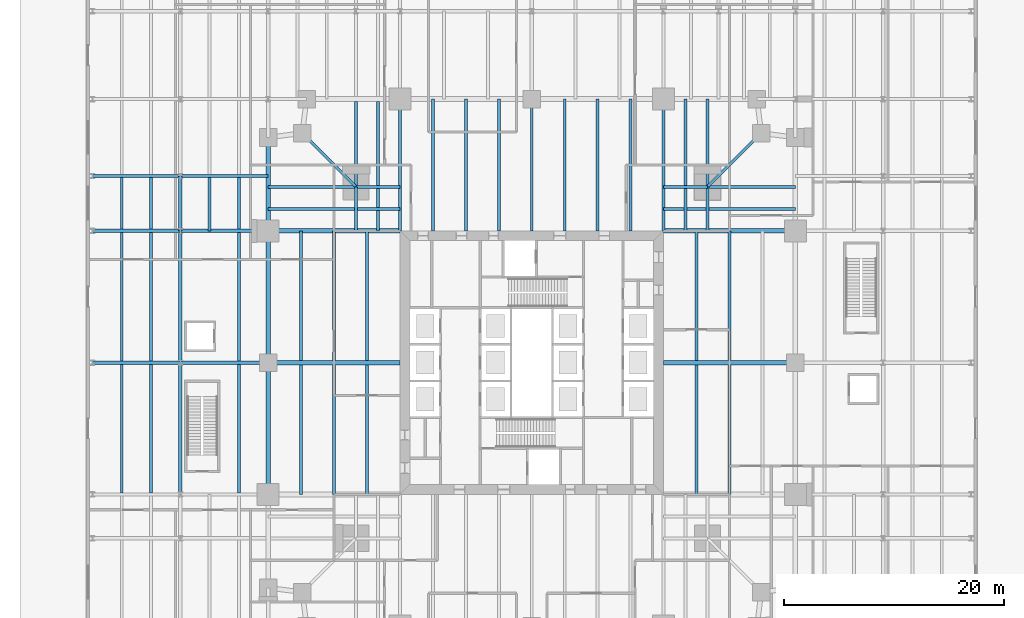
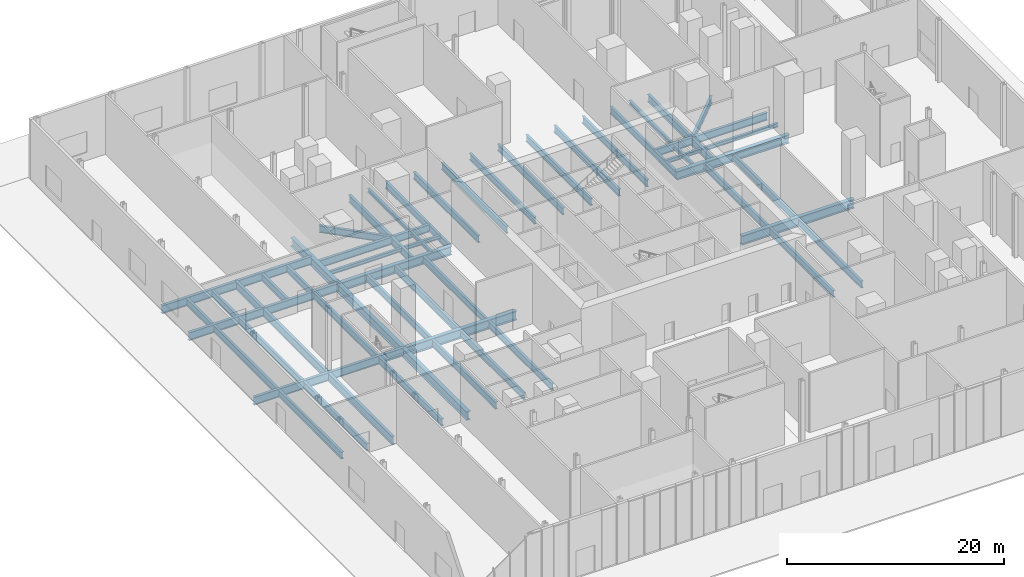
# One storey, part 7 of 20: 65 beams.
"""IFC4 building model written with IfcOpenShell, lengths in metres."""

from ifc_helpers import new_model, si_unit, direction, frame, origin, origin_2d, place, context, subcontext, project, spatial, i_section, extrude, material, material_profile, profile_set, type_object, element, save


model = new_model("IFC4")

# Units and contexts
model_context = context("Model", 3, precision=1e-05, world=origin(), true_north=direction((0.0, 1.0)))
body_context = subcontext(model_context, "Body", "Model", "MODEL_VIEW")
ifc_project = project(units=[si_unit("LENGTHUNIT", "METRE"), si_unit("AREAUNIT", "SQUARE_METRE"), si_unit("VOLUMEUNIT", "CUBIC_METRE"), si_unit("PLANEANGLEUNIT", "RADIAN"), si_unit("MASSUNIT", "GRAM", prefix="KILO")], contexts=[model_context])

# Site, building, storey
site_placement = place(None, origin())
site = spatial("IfcSite", under=ifc_project, at=site_placement, CompositionType="ELEMENT")
building_placement = place(site_placement, origin())
building = spatial("IfcBuilding", under=site, at=building_placement, Name="Fenwick Lantern Interchange", CompositionType="ELEMENT")
storey_placement = place(building_placement, origin())
storey = spatial("IfcBuildingStorey", under=building, at=storey_placement, Name="L00", CompositionType="ELEMENT", Elevation=0.0)

# Beams
ifc_material = material(Name="Steel ASTM A992 Grade 50", Category="steel")
ifc_material_profile_1 = material_profile(ifc_material, i_section(OverallWidth=0.4267578125, OverallDepth=0.975341796875, WebThickness=0.031005859375, FlangeThickness=0.055908203125, at=origin_2d()), Name="W36X395")
ifc_profile_set_1 = profile_set([ifc_material_profile_1], Name="Steel ASTM A992 Grade 50")
beam_type_1 = type_object("IfcBeamType", Name="EDGE BEAM W36X395", PredefinedType="SPANDREL", material=ifc_profile_set_1)
beam_1_placement = place(storey_placement, frame((1.0, 45.5, -0.78759765625), z_axis=(0.0, -1.0, 0.0), x_axis=(1.0, 0.0, 0.0)))
element("IfcBeam", 1, at=beam_1_placement, inside=storey, type_object=beam_type_1, Name="L00/FR/W/EB1", PredefinedType="SPANDREL", context=body_context, shape_type="SweptSolid", body=[
    extrude(i_section(OverallWidth=0.4267578125, OverallDepth=0.975341796875, WebThickness=0.031005859375, FlangeThickness=0.055908203125, at=origin_2d()), origin(), (0.0, 0.0, 1.0), 8.5),
])
for number, where, z_axis, x_axis, name in (
    (2, (1.0, 37.0, -0.78759765625), (0.0, -1.0, 0.0), (1.0, 0.0, 0.0), "L00/FR/W/EB2"),
    (3, (1.0, 25.0, -0.78759765625), (0.0, -1.0, 0.0), (1.0, 0.0, 0.0), "L00/FR/W/EB3"),
):
    element("IfcBeam", number, at=place(storey_placement, frame(where, z_axis=z_axis, x_axis=x_axis)), inside=storey, type_object=beam_type_1, Name=name, PredefinedType="SPANDREL", context=body_context, shape_type="SweptSolid", body=[
        extrude(i_section(OverallWidth=0.4267578125, OverallDepth=0.975341796875, WebThickness=0.031005859375, FlangeThickness=0.055908203125, at=origin_2d()), origin(), (0.0, 0.0, 1.0), 12.0),
    ])
ifc_material_profile_2 = material_profile(ifc_material, i_section(OverallWidth=0.2666015625, OverallDepth=0.77978515625, WebThickness=0.0166015625, FlangeThickness=0.030029296875, at=origin_2d()), Name="W30X148")
ifc_profile_set_2 = profile_set([ifc_material_profile_2], Name="Steel ASTM A992 Grade 50")
beam_type_2 = type_object("IfcBeamType", Name="FLOOR BEAM W30X148", PredefinedType="BEAM", material=ifc_profile_set_2)
for number, where, z_axis, x_axis, name in (
    (4, (43.0, 13.0, -0.68994140625), (0.0, 1.0, 0.0), (-1.0, 0.0, 0.0), "L00/FR/E/B02"),
    (5, (40.0, 13.0, -0.68994140625), (0.0, 1.0, 0.0), (-1.0, 0.0, 0.0), "L00/FR/E/B03"),
    (6, (43.0, 25.20458984375, -0.68994140625), (0.0, 1.0, 0.0), (-1.0, 0.0, 0.0), "L00/FR/E/B05"),
    (7, (40.0, 25.20458984375, -0.68994140625), (0.0, 1.0, 0.0), (-1.0, 0.0, 0.0), "L00/FR/E/B06"),
):
    element("IfcBeam", number, at=place(storey_placement, frame(where, z_axis=z_axis, x_axis=x_axis)), inside=storey, type_object=beam_type_2, Name=name, PredefinedType="BEAM", context=body_context, shape_type="SweptSolid", body=[
        extrude(i_section(OverallWidth=0.2666015625, OverallDepth=0.77978515625, WebThickness=0.0166015625, FlangeThickness=0.030029296875, at=origin_2d()), origin(), (0.0, 0.0, 1.0), 11.79541015625),
    ])
for number, where, z_axis, x_axis, name in (
    (8, (34.0, 49.0, -0.68994140625), (0.0, -1.0, 0.0), (1.0, 0.0, 0.0), "L00/FR/N/R02"),
    (9, (31.0, 49.0, -0.68994140625), (0.0, -1.0, 0.0), (1.0, 0.0, 0.0), "L00/FR/N/R03"),
    (10, (28.0, 49.0, -0.68994140625), (0.0, -1.0, 0.0), (1.0, 0.0, 0.0), "L00/FR/N/R04"),
    (11, (22.0, 49.0, -0.68994140625), (0.0, -1.0, 0.0), (1.0, 0.0, 0.0), "L00/FR/N/R06"),
    (12, (19.0, 49.0, -0.68994140625), (0.0, -1.0, 0.0), (1.0, 0.0, 0.0), "L00/FR/N/R07"),
    (13, (16.0, 49.0, -0.68994140625), (0.0, -1.0, 0.0), (1.0, 0.0, 0.0), "L00/FR/N/R08"),
):
    element("IfcBeam", number, at=place(storey_placement, frame(where, z_axis=z_axis, x_axis=x_axis)), inside=storey, type_object=beam_type_2, Name=name, PredefinedType="BEAM", context=body_context, shape_type="SweptSolid", body=[
        extrude(i_section(OverallWidth=0.2666015625, OverallDepth=0.77978515625, WebThickness=0.0166015625, FlangeThickness=0.030029296875, at=origin_2d()), origin(), (0.0, 0.0, 1.0), 12.0),
    ])
for number, where, z_axis, x_axis, name in (
    (14, (4.0, 37.0, -0.68994140625), (0.0, -1.0, 0.0), (1.0, 0.0, 0.0), "L00/FR/W/B01"),
    (15, (7.0, 37.0, -0.68994140625), (0.0, -1.0, 0.0), (1.0, 0.0, 0.0), "L00/FR/W/B02"),
    (16, (10.0, 37.0, -0.68994140625), (0.0, -1.0, 0.0), (1.0, 0.0, 0.0), "L00/FR/W/B03"),
    (17, (4.0, 24.79541015625, -0.68994140625), (0.0, -1.0, 0.0), (1.0, 0.0, 0.0), "L00/FR/W/B04"),
    (18, (7.0, 24.79541015625, -0.68994140625), (0.0, -1.0, 0.0), (1.0, 0.0, 0.0), "L00/FR/W/B05"),
    (19, (10.0, 24.79541015625, -0.68994140625), (0.0, -1.0, 0.0), (1.0, 0.0, 0.0), "L00/FR/W/B06"),
):
    element("IfcBeam", number, at=place(storey_placement, frame(where, z_axis=z_axis, x_axis=x_axis)), inside=storey, type_object=beam_type_2, Name=name, PredefinedType="BEAM", context=body_context, shape_type="SweptSolid", body=[
        extrude(i_section(OverallWidth=0.2666015625, OverallDepth=0.77978515625, WebThickness=0.0166015625, FlangeThickness=0.030029296875, at=origin_2d()), origin(), (0.0, 0.0, 1.0), 11.79541015625),
    ])
ifc_material_profile_3 = material_profile(ifc_material, i_section(OverallWidth=0.259033203125, OverallDepth=0.4140625, WebThickness=0.010009765625, FlangeThickness=0.016845703125, at=origin_2d()), Name="W16X67")
ifc_profile_set_3 = profile_set([ifc_material_profile_3], Name="Steel ASTM A992 Grade 50")
beam_type_3 = type_object("IfcBeamType", Name="INFILL BEAM W16X67", PredefinedType="JOIST", material=ifc_profile_set_3)
beam_2_placement = place(storey_placement, frame((39.0, 49.0, -0.507080078125), z_axis=(0.0, -1.0, 0.0), x_axis=(1.0, 0.0, 0.0)))
element("IfcBeam", 20, at=beam_2_placement, inside=storey, type_object=beam_type_3, Name="L00/FR/N/J1", PredefinedType="JOIST", context=body_context, shape_type="SweptSolid", body=[
    extrude(i_section(OverallWidth=0.259033203125, OverallDepth=0.4140625, WebThickness=0.010009765625, FlangeThickness=0.016845703125, at=origin_2d()), origin(), (0.0, 0.0, 1.0), 7.85400390625),
])
beam_3_placement = place(storey_placement, frame((39.0, 40.85400390625, -0.507080078125), z_axis=(0.0, -1.0, 0.0), x_axis=(1.0, 0.0, 0.0)))
element("IfcBeam", 21, at=beam_3_placement, inside=storey, type_object=beam_type_3, Name="L00/FR/N/J2", PredefinedType="JOIST", context=body_context, shape_type="SweptSolid", body=[
    extrude(i_section(OverallWidth=0.259033203125, OverallDepth=0.4140625, WebThickness=0.010009765625, FlangeThickness=0.016845703125, at=origin_2d()), origin(), (0.0, 0.0, 1.0), 3.85400390625),
])
beam_4_placement = place(storey_placement, frame((49.0, 39.0, -0.507080078125), z_axis=(-1.0, 0.0, 0.0), x_axis=(0.0, -1.0, 0.0)))
element("IfcBeam", 22, at=beam_4_placement, inside=storey, type_object=beam_type_3, Name="L00/FR/N/J3", PredefinedType="JOIST", context=body_context, shape_type="SweptSolid", body=[
    extrude(i_section(OverallWidth=0.259033203125, OverallDepth=0.4140625, WebThickness=0.010009765625, FlangeThickness=0.016845703125, at=origin_2d()), origin(), (0.0, 0.0, 1.0), 7.85400390625),
])
beam_5_placement = place(storey_placement, frame((40.85400390625, 39.0, -0.507080078125), z_axis=(-1.0, 0.0, 0.0), x_axis=(0.0, -1.0, 0.0)))
element("IfcBeam", 23, at=beam_5_placement, inside=storey, type_object=beam_type_3, Name="L00/FR/N/J4", PredefinedType="JOIST", context=body_context, shape_type="SweptSolid", body=[
    extrude(i_section(OverallWidth=0.259033203125, OverallDepth=0.4140625, WebThickness=0.010009765625, FlangeThickness=0.016845703125, at=origin_2d()), origin(), (0.0, 0.0, 1.0), 1.724365234375),
])
beam_6_placement = place(storey_placement, frame((38.870361328125, 39.0, -0.507080078125), z_axis=(-1.0, 0.0, 0.0), x_axis=(0.0, -1.0, 0.0)))
element("IfcBeam", 24, at=beam_6_placement, inside=storey, type_object=beam_type_3, Name="L00/FR/N/J5", PredefinedType="JOIST", context=body_context, shape_type="SweptSolid", body=[
    extrude(i_section(OverallWidth=0.259033203125, OverallDepth=0.4140625, WebThickness=0.010009765625, FlangeThickness=0.016845703125, at=origin_2d()), origin(), (0.0, 0.0, 1.0), 1.870361328125),
])
beam_7_placement = place(storey_placement, frame((1.0, 39.0, -0.507080078125), z_axis=(1.0, 0.0, 0.0), x_axis=(0.0, 1.0, 0.0)))
element("IfcBeam", 25, at=beam_7_placement, inside=storey, type_object=beam_type_3, Name="L00/FR/W/J1", PredefinedType="JOIST", context=body_context, shape_type="SweptSolid", body=[
    extrude(i_section(OverallWidth=0.259033203125, OverallDepth=0.4140625, WebThickness=0.010009765625, FlangeThickness=0.016845703125, at=origin_2d()), origin(), (0.0, 0.0, 1.0), 7.85400390625),
])
beam_8_placement = place(storey_placement, frame((9.14599609375, 39.0, -0.507080078125), z_axis=(1.0, 0.0, 0.0), x_axis=(0.0, 1.0, 0.0)))
element("IfcBeam", 26, at=beam_8_placement, inside=storey, type_object=beam_type_3, Name="L00/FR/W/J2", PredefinedType="JOIST", context=body_context, shape_type="SweptSolid", body=[
    extrude(i_section(OverallWidth=0.259033203125, OverallDepth=0.4140625, WebThickness=0.010009765625, FlangeThickness=0.016845703125, at=origin_2d()), origin(), (0.0, 0.0, 1.0), 3.85400390625),
])
beam_9_placement = place(storey_placement, frame((11.0, 48.78662109375, -0.507080078125), z_axis=(0.0, -1.0, 0.0), x_axis=(1.0, 0.0, 0.0)))
element("IfcBeam", 27, at=beam_9_placement, inside=storey, type_object=beam_type_3, Name="L00/FR/W/J3", PredefinedType="JOIST", context=body_context, shape_type="SweptSolid", body=[
    extrude(i_section(OverallWidth=0.259033203125, OverallDepth=0.4140625, WebThickness=0.010009765625, FlangeThickness=0.016845703125, at=origin_2d()), origin(), (0.0, 0.0, 1.0), 7.640625),
])
beam_10_placement = place(storey_placement, frame((11.0, 40.85400390625, -0.507080078125), z_axis=(0.0, -1.0, 0.0), x_axis=(1.0, 0.0, 0.0)))
element("IfcBeam", 28, at=beam_10_placement, inside=storey, type_object=beam_type_3, Name="L00/FR/W/J4", PredefinedType="JOIST", context=body_context, shape_type="SweptSolid", body=[
    extrude(i_section(OverallWidth=0.259033203125, OverallDepth=0.4140625, WebThickness=0.010009765625, FlangeThickness=0.016845703125, at=origin_2d()), origin(), (0.0, 0.0, 1.0), 1.724365234375),
])
beam_11_placement = place(storey_placement, frame((11.0, 38.870361328125, -0.507080078125), z_axis=(0.0, -1.0, 0.0), x_axis=(1.0, 0.0, 0.0)))
element("IfcBeam", 29, at=beam_11_placement, inside=storey, type_object=beam_type_3, Name="L00/FR/W/J5", PredefinedType="JOIST", context=body_context, shape_type="SweptSolid", body=[
    extrude(i_section(OverallWidth=0.259033203125, OverallDepth=0.4140625, WebThickness=0.010009765625, FlangeThickness=0.016845703125, at=origin_2d()), origin(), (0.0, 0.0, 1.0), 1.870361328125),
])
ifc_material_profile_4 = material_profile(ifc_material, i_section(OverallWidth=0.2919921875, OverallDepth=0.845703125, WebThickness=0.015380859375, FlangeThickness=0.0244140625, at=origin_2d()), Name="W33X141")
ifc_profile_set_4 = profile_set([ifc_material_profile_4], Name="Steel ASTM A992 Grade 50")
beam_type_4 = type_object("IfcBeamType", Name="MEGA COLUMN BEAM W33X141", PredefinedType="BEAM", material=ifc_profile_set_4)
for number, where, z_axis, x_axis, name in (
    (30, (41.0, 41.0, -0.722900390625), (0.0, 1.0, 0.0), (-1.0, 0.0, 0.0), "L00/FR/N/MB1"),
    (31, (41.0, 41.0, -0.722900390625), (1.0, 0.0, 0.0), (0.0, 1.0, 0.0), "L00/FR/N/MB2"),
):
    element("IfcBeam", number, at=place(storey_placement, frame(where, z_axis=z_axis, x_axis=x_axis)), inside=storey, type_object=beam_type_4, Name=name, PredefinedType="BEAM", context=body_context, shape_type="SweptSolid", body=[
        extrude(i_section(OverallWidth=0.2919921875, OverallDepth=0.845703125, WebThickness=0.015380859375, FlangeThickness=0.0244140625, at=origin_2d()), origin(), (0.0, 0.0, 1.0), 8.0),
    ])
for number, where, z_axis, x_axis, name in (
    (32, (41.0, 41.0, -0.722900390625), (-1.0, 0.0, 0.0), (0.0, -1.0, 0.0), "L00/FR/N/MB3"),
    (33, (41.0, 41.0, -0.722900390625), (0.0, -1.0, 0.0), (1.0, 0.0, 0.0), "L00/FR/N/MB4"),
):
    element("IfcBeam", number, at=place(storey_placement, frame(where, z_axis=z_axis, x_axis=x_axis)), inside=storey, type_object=beam_type_4, Name=name, PredefinedType="BEAM", context=body_context, shape_type="SweptSolid", body=[
        extrude(i_section(OverallWidth=0.2919921875, OverallDepth=0.845703125, WebThickness=0.015380859375, FlangeThickness=0.0244140625, at=origin_2d()), origin(), (0.0, 0.0, 1.0), 4.0),
    ])
beam_12_placement = place(storey_placement, frame((9.0, 41.0, -0.722900390625), z_axis=(-1.0, 0.0, 0.0), x_axis=(0.0, -1.0, 0.0)))
element("IfcBeam", 34, at=beam_12_placement, inside=storey, type_object=beam_type_4, Name="L00/FR/W/MB1", PredefinedType="BEAM", context=body_context, shape_type="SweptSolid", body=[
    extrude(i_section(OverallWidth=0.2919921875, OverallDepth=0.845703125, WebThickness=0.015380859375, FlangeThickness=0.0244140625, at=origin_2d()), origin(), (0.0, 0.0, 1.0), 8.0),
])
beam_13_placement = place(storey_placement, frame((9.0, 41.0, -0.722900390625), z_axis=(0.0, 1.0, 0.0), x_axis=(-1.0, 0.0, 0.0)))
element("IfcBeam", 35, at=beam_13_placement, inside=storey, type_object=beam_type_4, Name="L00/FR/W/MB2", PredefinedType="BEAM", context=body_context, shape_type="SweptSolid", body=[
    extrude(i_section(OverallWidth=0.2919921875, OverallDepth=0.845703125, WebThickness=0.015380859375, FlangeThickness=0.0244140625, at=origin_2d()), origin(), (0.0, 0.0, 1.0), 7.78662109375),
])
for number, where, z_axis, x_axis, name in (
    (36, (9.0, 41.0, -0.722900390625), (0.0, -1.0, 0.0), (1.0, 0.0, 0.0), "L00/FR/W/MB3"),
    (37, (9.0, 41.0, -0.722900390625), (1.0, 0.0, 0.0), (0.0, 1.0, 0.0), "L00/FR/W/MB4"),
):
    element("IfcBeam", number, at=place(storey_placement, frame(where, z_axis=z_axis, x_axis=x_axis)), inside=storey, type_object=beam_type_4, Name=name, PredefinedType="BEAM", context=body_context, shape_type="SweptSolid", body=[
        extrude(i_section(OverallWidth=0.2919921875, OverallDepth=0.845703125, WebThickness=0.015380859375, FlangeThickness=0.0244140625, at=origin_2d()), origin(), (0.0, 0.0, 1.0), 4.0),
    ])
ifc_material_profile_5 = material_profile(ifc_material, i_section(OverallWidth=0.2666015625, OverallDepth=0.76953125, WebThickness=0.015625, FlangeThickness=0.025390625, at=origin_2d()), Name="W30X132")
ifc_profile_set_5 = profile_set([ifc_material_profile_5], Name="Steel ASTM A992 Grade 50")
beam_type_5 = type_object("IfcBeamType", Name="MOMENT-CONNECTED GIRDER W30X132", PredefinedType="BEAM", material=ifc_profile_set_5)
for number, where, z_axis, x_axis, name in (
    (38, (37.0, 49.0, -0.684814453125), (0.0, -1.0, 0.0), (1.0, 0.0, 0.0), "L00/FR/N/R01"),
    (39, (25.0, 49.0, -0.684814453125), (0.0, -1.0, 0.0), (1.0, 0.0, 0.0), "L00/FR/N/R05"),
    (40, (13.0, 49.0, -0.684814453125), (0.0, -1.0, 0.0), (1.0, 0.0, 0.0), "L00/FR/N/R09"),
):
    element("IfcBeam", number, at=place(storey_placement, frame(where, z_axis=z_axis, x_axis=x_axis)), inside=storey, type_object=beam_type_5, Name=name, PredefinedType="BEAM", context=body_context, shape_type="SweptSolid", body=[
        extrude(i_section(OverallWidth=0.2666015625, OverallDepth=0.76953125, WebThickness=0.015625, FlangeThickness=0.025390625, at=origin_2d()), origin(), (0.0, 0.0, 1.0), 12.0),
    ])
ifc_material_profile_6 = material_profile(ifc_material, i_section(OverallWidth=0.4267578125, OverallDepth=0.975341796875, WebThickness=0.031005859375, FlangeThickness=0.055908203125, at=origin_2d()), Name="W36X395")
ifc_profile_set_6 = profile_set([ifc_material_profile_6], Name="Steel ASTM A992 Grade 50")
beam_type_6 = type_object("IfcBeamType", Name="MOMENT-CONNECTED GIRDER W36X395", PredefinedType="BEAM", material=ifc_profile_set_6)
for number, where, z_axis, x_axis, name in (
    (41, (49.0, 37.0, -0.78759765625), (-1.0, 0.0, 0.0), (0.0, -1.0, 0.0), "L00/FR/E/R03"),
    (42, (1.0, 37.0, -0.78759765625), (1.0, 0.0, 0.0), (0.0, 1.0, 0.0), "L00/FR/W/R01"),
):
    element("IfcBeam", number, at=place(storey_placement, frame(where, z_axis=z_axis, x_axis=x_axis)), inside=storey, type_object=beam_type_6, Name=name, PredefinedType="BEAM", context=body_context, shape_type="SweptSolid", body=[
        extrude(i_section(OverallWidth=0.4267578125, OverallDepth=0.975341796875, WebThickness=0.031005859375, FlangeThickness=0.055908203125, at=origin_2d()), origin(), (0.0, 0.0, 1.0), 12.0),
    ])
ifc_material_profile_7 = material_profile(ifc_material, i_section(OverallWidth=0.408935546875, OverallDepth=1.04150390625, WebThickness=0.031005859375, FlangeThickness=0.055908203125, at=origin_2d()), Name="W40X397")
ifc_profile_set_7 = profile_set([ifc_material_profile_7], Name="Steel ASTM A992 Grade 50")
beam_type_7 = type_object("IfcBeamType", Name="MOMENT-CONNECTED GIRDER W40X397", PredefinedType="BEAM", material=ifc_profile_set_7)
for number, where, z_axis, x_axis, name in (
    (43, (49.0, 25.0, -0.82080078125), (-1.0, 0.0, 0.0), (0.0, -1.0, 0.0), "L00/FR/E/R02"),
    (44, (1.0, 25.0, -0.82080078125), (1.0, 0.0, 0.0), (0.0, 1.0, 0.0), "L00/FR/W/R02"),
):
    element("IfcBeam", number, at=place(storey_placement, frame(where, z_axis=z_axis, x_axis=x_axis)), inside=storey, type_object=beam_type_7, Name=name, PredefinedType="BEAM", context=body_context, shape_type="SweptSolid", body=[
        extrude(i_section(OverallWidth=0.408935546875, OverallDepth=1.04150390625, WebThickness=0.031005859375, FlangeThickness=0.055908203125, at=origin_2d()), origin(), (0.0, 0.0, 1.0), 12.0),
    ])
ifc_material_profile_8 = material_profile(ifc_material, i_section(OverallWidth=0.3046875, OverallDepth=0.911865234375, WebThickness=0.015869140625, FlangeThickness=0.02392578125, at=origin_2d()), Name="W36X150")
ifc_profile_set_8 = profile_set([ifc_material_profile_8], Name="Steel ASTM A992 Grade 50")
beam_type_8 = type_object("IfcBeamType", Name="MOMENT-CONNECTED PODIUM GIRDER W36X150", PredefinedType="BEAM", material=ifc_profile_set_8)
for number, where, z_axis, x_axis, name in (
    (45, (-15.0, 25.0, -0.755859375), (1.0, 0.0, 0.0), (0.0, 1.0, 0.0), "L00/PF/G025"),
    (46, (-7.0, 25.0, -0.755859375), (1.0, 0.0, 0.0), (0.0, 1.0, 0.0), "L00/PF/G026"),
    (47, (-15.0, 37.0, -0.755859375), (1.0, 0.0, 0.0), (0.0, 1.0, 0.0), "L00/PF/G029"),
    (48, (-7.0, 37.0, -0.755859375), (1.0, 0.0, 0.0), (0.0, 1.0, 0.0), "L00/PF/G030"),
    (49, (-15.0, 42.0, -0.755859375), (1.0, 0.0, 0.0), (0.0, 1.0, 0.0), "L00/PF/G033"),
    (50, (-7.0, 42.0, -0.755859375), (1.0, 0.0, 0.0), (0.0, 1.0, 0.0), "L00/PF/G034"),
):
    element("IfcBeam", number, at=place(storey_placement, frame(where, z_axis=z_axis, x_axis=x_axis)), inside=storey, type_object=beam_type_8, Name=name, PredefinedType="BEAM", context=body_context, shape_type="SweptSolid", body=[
        extrude(i_section(OverallWidth=0.3046875, OverallDepth=0.911865234375, WebThickness=0.015869140625, FlangeThickness=0.02392578125, at=origin_2d()), origin(), (0.0, 0.0, 1.0), 8.0),
    ])
beam_14_placement = place(storey_placement, frame((-7.0, 37.0, -0.755859375), z_axis=(0.0, 1.0, 0.0), x_axis=(-1.0, 0.0, 0.0)))
element("IfcBeam", 51, at=beam_14_placement, inside=storey, type_object=beam_type_8, Name="L00/PF/G059", PredefinedType="BEAM", context=body_context, shape_type="SweptSolid", body=[
    extrude(i_section(OverallWidth=0.3046875, OverallDepth=0.911865234375, WebThickness=0.015869140625, FlangeThickness=0.02392578125, at=origin_2d()), origin(), (0.0, 0.0, 1.0), 5.0),
])
ifc_material_profile_9 = material_profile(ifc_material, i_section(OverallWidth=0.307373046875, OverallDepth=0.927001953125, WebThickness=0.01953125, FlangeThickness=0.031982421875, at=origin_2d()), Name="W36X194")
ifc_profile_set_9 = profile_set([ifc_material_profile_9], Name="Steel ASTM A992 Grade 50")
beam_type_9 = type_object("IfcBeamType", Name="MOMENT-CONNECTED PODIUM GIRDER W36X194", PredefinedType="BEAM", material=ifc_profile_set_9)
for number, where, z_axis, x_axis, name in (
    (52, (-7.0, 13.0, -0.763671875), (0.0, 1.0, 0.0), (-1.0, 0.0, 0.0), "L00/PF/G057"),
    (53, (-7.0, 25.0, -0.763671875), (0.0, 1.0, 0.0), (-1.0, 0.0, 0.0), "L00/PF/G058"),
):
    element("IfcBeam", number, at=place(storey_placement, frame(where, z_axis=z_axis, x_axis=x_axis)), inside=storey, type_object=beam_type_9, Name=name, PredefinedType="BEAM", context=body_context, shape_type="SweptSolid", body=[
        extrude(i_section(OverallWidth=0.307373046875, OverallDepth=0.927001953125, WebThickness=0.01953125, FlangeThickness=0.031982421875, at=origin_2d()), origin(), (0.0, 0.0, 1.0), 12.0),
    ])
ifc_material_profile_10 = material_profile(ifc_material, i_section(OverallWidth=0.2666015625, OverallDepth=0.77978515625, WebThickness=0.0166015625, FlangeThickness=0.030029296875, at=origin_2d()), Name="W30X148")
ifc_profile_set_10 = profile_set([ifc_material_profile_10], Name="Steel ASTM A992 Grade 50")
beam_type_10 = type_object("IfcBeamType", Name="NOTCH BEAM W30X148", PredefinedType="BEAM", material=ifc_profile_set_10)
for number, where, z_axis, x_axis, name in (
    (54, (41.0, 41.0, -0.68994140625), (0.707106781187, 0.707106781187, 0.0), (-0.707106781187, 0.707106781187, 0.0), "L00/FR/N/TG"),
    (55, (9.0, 41.0, -0.68994140625), (-0.707106781187, 0.707106781187, 0.0), (-0.707106781187, -0.707106781187, 0.0), "L00/FR/W/TG"),
):
    element("IfcBeam", number, at=place(storey_placement, frame(where, z_axis=z_axis, x_axis=x_axis)), inside=storey, type_object=beam_type_10, Name=name, PredefinedType="BEAM", context=body_context, shape_type="SweptSolid", body=[
        extrude(i_section(OverallWidth=0.2666015625, OverallDepth=0.77978515625, WebThickness=0.0166015625, FlangeThickness=0.030029296875, at=origin_2d()), origin(), (0.0, 0.0, 1.0), 6.929443359375),
    ])
ifc_material_profile_11 = material_profile(ifc_material, i_section(OverallWidth=0.2666015625, OverallDepth=0.77978515625, WebThickness=0.0166015625, FlangeThickness=0.030029296875, at=origin_2d()), Name="W30X148")
ifc_profile_set_11 = profile_set([ifc_material_profile_11], Name="Steel ASTM A992 Grade 50")
beam_type_11 = type_object("IfcBeamType", Name="PODIUM BEAM W30X148", PredefinedType="JOIST", material=ifc_profile_set_11)
for number, where, z_axis, x_axis, name in (
    (56, (-12.333251953125, 13.15234375, -0.68994140625), (0.0, 1.0, 0.0), (-1.0, 0.0, 0.0), "L00/PF/J113"),
    (57, (-9.666748046875, 13.15234375, -0.68994140625), (0.0, 1.0, 0.0), (-1.0, 0.0, 0.0), "L00/PF/J114"),
    (58, (-12.333251953125, 25.15234375, -0.68994140625), (0.0, 1.0, 0.0), (-1.0, 0.0, 0.0), "L00/PF/J115"),
    (59, (-9.666748046875, 25.15234375, -0.68994140625), (0.0, 1.0, 0.0), (-1.0, 0.0, 0.0), "L00/PF/J116"),
):
    element("IfcBeam", number, at=place(storey_placement, frame(where, z_axis=z_axis, x_axis=x_axis)), inside=storey, type_object=beam_type_11, Name=name, PredefinedType="JOIST", context=body_context, shape_type="SweptSolid", body=[
        extrude(i_section(OverallWidth=0.2666015625, OverallDepth=0.77978515625, WebThickness=0.0166015625, FlangeThickness=0.030029296875, at=origin_2d()), origin(), (0.0, 0.0, 1.0), 11.6953125),
    ])
for number, where, z_axis, x_axis, name in (
    (60, (-12.333251953125, 37.15234375, -0.68994140625), (0.0, 1.0, 0.0), (-1.0, 0.0, 0.0), "L00/PF/J117"),
    (61, (-9.666748046875, 37.15234375, -0.68994140625), (0.0, 1.0, 0.0), (-1.0, 0.0, 0.0), "L00/PF/J118"),
):
    element("IfcBeam", number, at=place(storey_placement, frame(where, z_axis=z_axis, x_axis=x_axis)), inside=storey, type_object=beam_type_11, Name=name, PredefinedType="JOIST", context=body_context, shape_type="SweptSolid", body=[
        extrude(i_section(OverallWidth=0.2666015625, OverallDepth=0.77978515625, WebThickness=0.0166015625, FlangeThickness=0.030029296875, at=origin_2d()), origin(), (0.0, 0.0, 1.0), 4.6953125),
    ])
for number, where, z_axis, x_axis, name in (
    (62, (-1.666748046875, 13.15234375, -0.68994140625), (0.0, 1.0, 0.0), (-1.0, 0.0, 0.0), "L00/PF/J133"),
    (63, (-1.666748046875, 25.15234375, -0.68994140625), (0.0, 1.0, 0.0), (-1.0, 0.0, 0.0), "L00/PF/J134"),
):
    element("IfcBeam", number, at=place(storey_placement, frame(where, z_axis=z_axis, x_axis=x_axis)), inside=storey, type_object=beam_type_11, Name=name, PredefinedType="JOIST", context=body_context, shape_type="SweptSolid", body=[
        extrude(i_section(OverallWidth=0.2666015625, OverallDepth=0.77978515625, WebThickness=0.0166015625, FlangeThickness=0.030029296875, at=origin_2d()), origin(), (0.0, 0.0, 1.0), 11.6953125),
    ])
beam_15_placement = place(storey_placement, frame((-4.333251953125, 37.0, -0.68994140625), z_axis=(0.0, 1.0, 0.0), x_axis=(-1.0, 0.0, 0.0)))
element("IfcBeam", 64, at=beam_15_placement, inside=storey, type_object=beam_type_11, Name="L00/PF/J135", PredefinedType="JOIST", context=body_context, shape_type="SweptSolid", body=[
    extrude(i_section(OverallWidth=0.2666015625, OverallDepth=0.77978515625, WebThickness=0.0166015625, FlangeThickness=0.030029296875, at=origin_2d()), origin(), (0.0, 0.0, 1.0), 4.84765625),
])
beam_16_placement = place(storey_placement, frame((-1.666748046875, 37.15234375, -0.68994140625), z_axis=(0.0, 1.0, 0.0), x_axis=(-1.0, 0.0, 0.0)))
element("IfcBeam", 65, at=beam_16_placement, inside=storey, type_object=beam_type_11, Name="L00/PF/J136", PredefinedType="JOIST", context=body_context, shape_type="SweptSolid", body=[
    extrude(i_section(OverallWidth=0.2666015625, OverallDepth=0.77978515625, WebThickness=0.0166015625, FlangeThickness=0.030029296875, at=origin_2d()), origin(), (0.0, 0.0, 1.0), 4.6953125),
])

save(model, "model.ifc")
